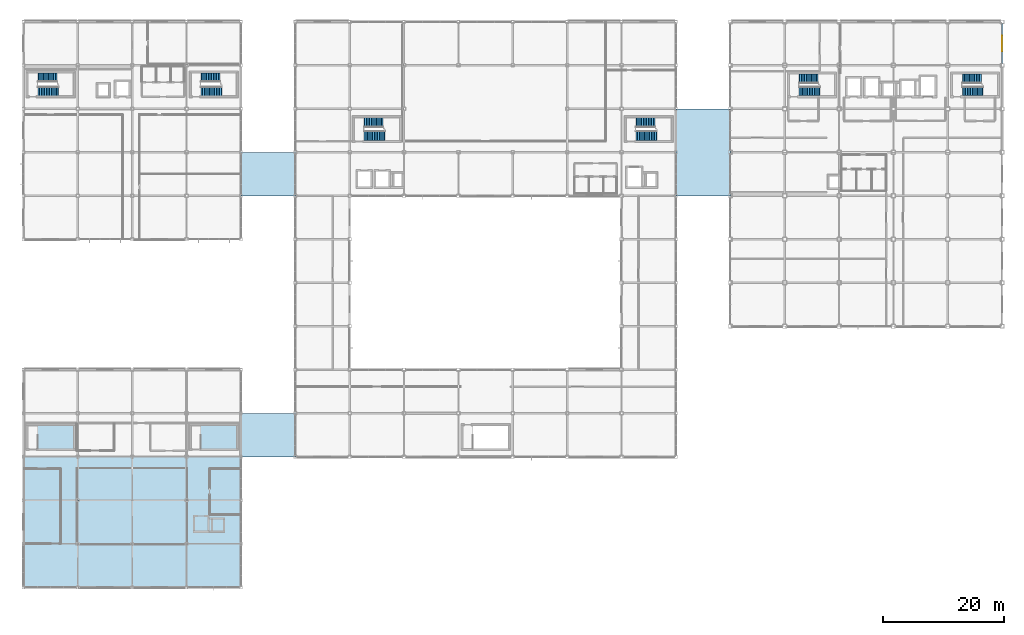
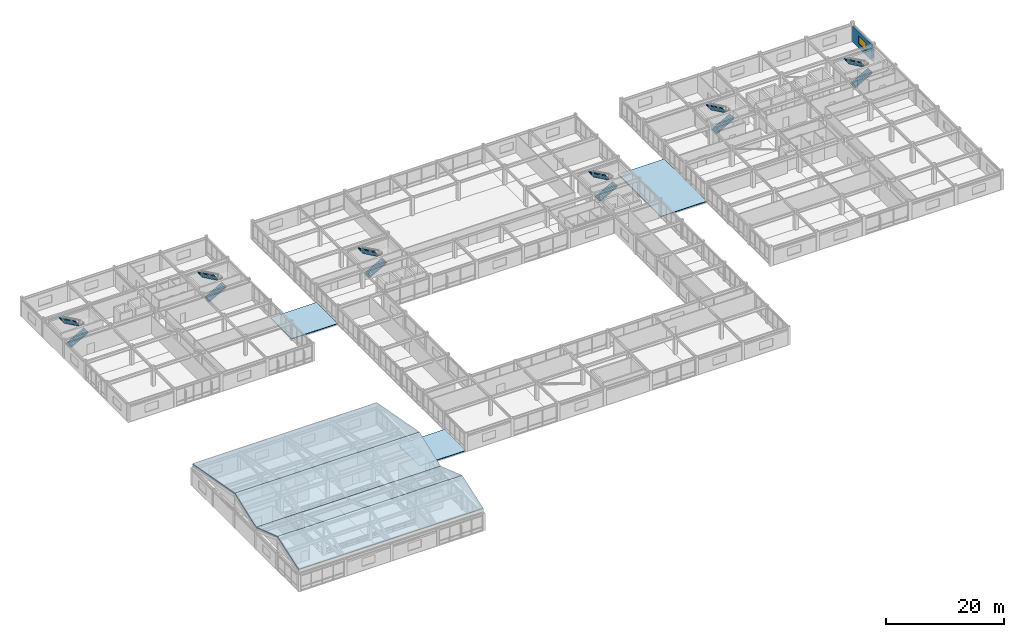
# One storey, part 100 of 113: 12 stair flights, 7 roofs, 1 wall, 1 window, 1 opening, 6 elements without a shape of their own.
"""IFC4 building model written with IfcOpenShell, lengths in metres."""

from ifc_helpers import new_model, si_unit, direction, frame, frame_2d, origin, place, context, subcontext, project, spatial, polyline, rectangle, outline, extrude, material, layer, layer_set, type_object, element, fill, aggregate, save


model = new_model("IFC4")

# Units and contexts
model_context = context("Model", 3, precision=1e-05, world=origin(), true_north=direction((0.0, 1.0)))
body_context = subcontext(model_context, "Body", "Model", "MODEL_VIEW")
ifc_project = project(units=[si_unit("LENGTHUNIT", "METRE"), si_unit("AREAUNIT", "SQUARE_METRE"), si_unit("VOLUMEUNIT", "CUBIC_METRE"), si_unit("PLANEANGLEUNIT", "RADIAN"), si_unit("MASSUNIT", "GRAM", prefix="KILO")], contexts=[model_context])

# Site, building, storey
site_placement = place(None, origin())
site = spatial("IfcSite", under=ifc_project, at=site_placement, CompositionType="ELEMENT")
building_placement = place(site_placement, origin())
building = spatial("IfcBuilding", under=site, at=building_placement, Name="Kazanami Central Library", CompositionType="ELEMENT")
storey_placement = place(building_placement, frame((0.0, 0.0, 8.800048828125)))
storey = spatial("IfcBuildingStorey", under=building, at=storey_placement, Name="L03", CompositionType="ELEMENT", Elevation=8.800048828125)

# Wall, opening, window
ifc_material_1 = material(Name="Concrete Fc36 (36 MPa)", Category="concrete")
ifc_layer_1 = layer(ifc_material_1, 0.219970703125, Name="Concrete Fc36 (36 MPa)")
ifc_material_2 = material(Name="Extruded Polystyrene XPS", Category="earth")
ifc_layer_2 = layer(ifc_material_2, 0.050048828125, Name="Extruded Polystyrene XPS")
ifc_material_3 = material(Name="Honed Inada Granite", Category="masonry")
ifc_layer_3 = layer(ifc_material_3, 0.030029296875, Name="Honed Inada Granite")
ifc_layer_set_1 = layer_set([ifc_layer_1, ifc_layer_2, ifc_layer_3], Name="Concrete Fc36 (36 MPa)")
wall_type = type_object("IfcWallType", Name="WAL-EW-300", PredefinedType="STANDARD", material=ifc_layer_set_1)
wall_placement = place(storey_placement, frame((162.0, 93.300048828125, 0.0), z_axis=(0.0, 0.0, 1.0), x_axis=(0.0, -1.0, 0.0)))
wall = element("IfcWall", 1, at=wall_placement, inside=storey, type_object=wall_type, Name="Exterior Facade Wall EW-300 L03 E-19-12", PredefinedType="STANDARD", context=body_context, shape_type="SweptSolid", body=[
    extrude(rectangle(XDim=6.60009765625, YDim=0.300048828125, at=frame_2d((3.300048828125, 0.0))), origin(), (0.0, 0.0, 1.0), 3.294921875),
])
opening_placement = place(wall_placement, frame((2.0, 0.0, 0.85009765625)))
opening = element("IfcOpeningElement", 2, at=opening_placement, cuts=wall, Name="Opening WN-13", PredefinedType="OPENING", context=body_context, shape_type="SweptSolid", body=[
    extrude(rectangle(XDim=2.60009765625, YDim=1.60009765625, at=frame_2d((1.300048828125, 0.800048828125))), frame((0.0, 0.162109375, 0.0), z_axis=(0.0, -1.0, 0.0), x_axis=(1.0, 0.0, 0.0)), (0.0, 0.0, 1.0), 0.323974609375),
])
ifc_material_4 = material(Name="Low-E Insulated Triple Glass", Category="glass")
window_type = type_object("IfcWindowType", Name="WIN-WN-13", PartitioningType="DOUBLE_PANEL_VERTICAL", PredefinedType="WINDOW", material=ifc_material_4)
window_placement = place(opening_placement, origin())
window = element("IfcWindow", 3, at=window_placement, inside=storey, type_object=window_type, Name="Facade Window WN-13 L03 E-19-12", OverallHeight=1.60009765625, OverallWidth=2.60009765625, PartitioningType="DOUBLE_PANEL_VERTICAL", PredefinedType="WINDOW", context=body_context, shape_type="SweptSolid", body=[
    extrude(rectangle(XDim=2.60009765625, YDim=1.60009765625, at=frame_2d((1.300048828125, 0.800048828125))), frame((0.0, 0.030029296875, 0.0), z_axis=(0.0, -1.0, 0.0), x_axis=(1.0, 0.0, 0.0)), (0.0, 0.0, 1.0), 0.06005859375),
])
fill(opening, window)

# Stair, stair flights
stair_type_1 = type_object("IfcStairType", Name="STR-P40", PredefinedType="HALF_TURN_STAIR", material=ifc_material_1)
stair_1_placement = place(storey_placement, origin())
stair_1 = element("IfcStair", 4, at=stair_1_placement, inside=storey, type_object=stair_type_1, Name="Enclosed Escape Stair ST-03 (L03)", PredefinedType="HALF_TURN_STAIR")
stair_flight_type_1 = type_object("IfcStairFlightType", Name="FLT-STR-P40", PredefinedType="STRAIGHT", material=ifc_material_1)
stair_flight_1_placement = place(storey_placement, frame((56.39404296875, 74.75, 0.0), z_axis=(0.0, 0.0, 1.0), x_axis=(1.0, 0.0, 0.0)))
stair_flight_1 = element("IfcStairFlight", 5, at=stair_flight_1_placement, type_object=stair_flight_type_1, Name="ST-03 flight 1", NumberOfRisers=13, NumberOfTreads=12, PredefinedType="STRAIGHT", RiserHeight=0.16, TreadLength=0.28, context=body_context, shape_type="SweptSolid", body=[
    extrude(outline(polyline([(0.0, 0.0), (0.0, 0.159912109375), (0.280029296875, 0.159912109375), (0.280029296875, 0.320068359375), (0.56005859375, 0.320068359375), (0.56005859375, 0.47998046875), (0.840087890625, 0.47998046875), (0.840087890625, 0.639892578125), (1.1201171875, 0.639892578125), (1.1201171875, 0.800048828125), (1.39990234375, 0.800048828125), (1.39990234375, 0.9599609375), (1.679931640625, 0.9599609375), (1.679931640625, 1.1201171875), (1.9599609375, 1.1201171875), (1.9599609375, 1.280029296875), (2.239990234375, 1.280029296875), (2.239990234375, 1.43994140625), (2.52001953125, 1.43994140625), (2.52001953125, 1.60009765625), (2.800048828125, 1.60009765625), (2.800048828125, 1.760009765625), (3.080078125, 1.760009765625), (3.080078125, 1.919921875), (3.360107421875, 1.919921875), (3.360107421875, 2.080078125), (3.440185546875, 2.080078125), (3.440185546875, 1.900146484375), (3.360107421875, 1.712646484375), (0.362548828125, 0.0), (0.0, 0.0)])), frame((0.0, 0.800048828125, 0.0), z_axis=(0.0, -1.0, 0.0), x_axis=(1.0, 0.0, 0.0)), (0.0, 0.0, 1.0), 1.60009765625),
])
stair_flight_2_placement = place(storey_placement, frame((59.553955078125, 76.949951171875, 2.079833984375), z_axis=(0.0, 0.0, 1.0), x_axis=(-1.0, 0.0, 0.0)))
stair_flight_2 = element("IfcStairFlight", 6, at=stair_flight_2_placement, type_object=stair_flight_type_1, Name="ST-03 flight 2", NumberOfRisers=12, NumberOfTreads=11, PredefinedType="STRAIGHT", RiserHeight=0.16, TreadLength=0.28, context=body_context, shape_type="SweptSolid", body=[
    extrude(outline(polyline([(0.0, 0.0), (0.0, 0.159912109375), (0.280029296875, 0.159912109375), (0.280029296875, 0.320068359375), (0.56005859375, 0.320068359375), (0.56005859375, 0.47998046875), (0.840087890625, 0.47998046875), (0.840087890625, 0.639892578125), (1.1201171875, 0.639892578125), (1.1201171875, 0.800048828125), (1.39990234375, 0.800048828125), (1.39990234375, 0.9599609375), (1.679931640625, 0.9599609375), (1.679931640625, 1.1201171875), (1.9599609375, 1.1201171875), (1.9599609375, 1.280029296875), (2.239990234375, 1.280029296875), (2.239990234375, 1.43994140625), (2.52001953125, 1.43994140625), (2.52001953125, 1.60009765625), (2.800048828125, 1.60009765625), (2.800048828125, 1.760009765625), (3.080078125, 1.760009765625), (3.080078125, 1.919921875), (3.16015625, 1.919921875), (3.16015625, 1.739990234375), (3.080078125, 1.552734375), (0.362548828125, 0.0), (0.0, 0.0)])), frame((0.0, 0.800048828125, 0.0), z_axis=(0.0, -1.0, 0.0), x_axis=(1.0, 0.0, 0.0)), (0.0, 0.0, 1.0), 1.60009765625),
])
aggregate(stair_1, [stair_flight_1, stair_flight_2])

stair_2_placement = place(storey_placement, origin())
stair_2 = element("IfcStair", 7, at=stair_2_placement, inside=storey, type_object=stair_type_1, Name="Enclosed Escape Stair ST-04 (L03)", PredefinedType="HALF_TURN_STAIR")
stair_flight_3_placement = place(storey_placement, frame((101.39404296875, 74.75, 0.0), z_axis=(0.0, 0.0, 1.0), x_axis=(1.0, 0.0, 0.0)))
stair_flight_3 = element("IfcStairFlight", 8, at=stair_flight_3_placement, type_object=stair_flight_type_1, Name="ST-04 flight 1", NumberOfRisers=13, NumberOfTreads=12, PredefinedType="STRAIGHT", RiserHeight=0.16, TreadLength=0.28, context=body_context, shape_type="SweptSolid", body=[
    extrude(outline(polyline([(0.0, 0.0), (0.0, 0.159912109375), (0.280029296875, 0.159912109375), (0.280029296875, 0.320068359375), (0.56005859375, 0.320068359375), (0.56005859375, 0.47998046875), (0.840087890625, 0.47998046875), (0.840087890625, 0.639892578125), (1.1201171875, 0.639892578125), (1.1201171875, 0.800048828125), (1.39990234375, 0.800048828125), (1.39990234375, 0.9599609375), (1.679931640625, 0.9599609375), (1.679931640625, 1.1201171875), (1.9599609375, 1.1201171875), (1.9599609375, 1.280029296875), (2.239990234375, 1.280029296875), (2.239990234375, 1.43994140625), (2.52001953125, 1.43994140625), (2.52001953125, 1.60009765625), (2.800048828125, 1.60009765625), (2.800048828125, 1.760009765625), (3.080078125, 1.760009765625), (3.080078125, 1.919921875), (3.360107421875, 1.919921875), (3.360107421875, 2.080078125), (3.440185546875, 2.080078125), (3.440185546875, 1.900146484375), (3.360107421875, 1.712646484375), (0.362548828125, 0.0), (0.0, 0.0)])), frame((0.0, 0.800048828125, 0.0), z_axis=(0.0, -1.0, 0.0), x_axis=(1.0, 0.0, 0.0)), (0.0, 0.0, 1.0), 1.60009765625),
])
stair_flight_4_placement = place(storey_placement, frame((104.553955078125, 76.949951171875, 2.079833984375), z_axis=(0.0, 0.0, 1.0), x_axis=(-1.0, 0.0, 0.0)))
stair_flight_4 = element("IfcStairFlight", 9, at=stair_flight_4_placement, type_object=stair_flight_type_1, Name="ST-04 flight 2", NumberOfRisers=12, NumberOfTreads=11, PredefinedType="STRAIGHT", RiserHeight=0.16, TreadLength=0.28, context=body_context, shape_type="SweptSolid", body=[
    extrude(outline(polyline([(0.0, 0.0), (0.0, 0.159912109375), (0.280029296875, 0.159912109375), (0.280029296875, 0.320068359375), (0.56005859375, 0.320068359375), (0.56005859375, 0.47998046875), (0.840087890625, 0.47998046875), (0.840087890625, 0.639892578125), (1.1201171875, 0.639892578125), (1.1201171875, 0.800048828125), (1.39990234375, 0.800048828125), (1.39990234375, 0.9599609375), (1.679931640625, 0.9599609375), (1.679931640625, 1.1201171875), (1.9599609375, 1.1201171875), (1.9599609375, 1.280029296875), (2.239990234375, 1.280029296875), (2.239990234375, 1.43994140625), (2.52001953125, 1.43994140625), (2.52001953125, 1.60009765625), (2.800048828125, 1.60009765625), (2.800048828125, 1.760009765625), (3.080078125, 1.760009765625), (3.080078125, 1.919921875), (3.16015625, 1.919921875), (3.16015625, 1.739990234375), (3.080078125, 1.552734375), (0.362548828125, 0.0), (0.0, 0.0)])), frame((0.0, 0.800048828125, 0.0), z_axis=(0.0, -1.0, 0.0), x_axis=(1.0, 0.0, 0.0)), (0.0, 0.0, 1.0), 1.60009765625),
])
aggregate(stair_2, [stair_flight_3, stair_flight_4])

stair_type_2 = type_object("IfcStairType", Name="STR-T40", PredefinedType="HALF_TURN_STAIR", material=ifc_material_1)
stair_3_placement = place(storey_placement, origin())
stair_3 = element("IfcStair", 10, at=stair_3_placement, inside=storey, type_object=stair_type_2, Name="Enclosed Escape Stair ST-01 (L03)", PredefinedType="HALF_TURN_STAIR")
stair_flight_type_2 = type_object("IfcStairFlightType", Name="FLT-STR-T40", PredefinedType="STRAIGHT", material=ifc_material_1)
stair_flight_5_placement = place(storey_placement, frame((128.39404296875, 82.125, 0.0), z_axis=(0.0, 0.0, 1.0), x_axis=(1.0, 0.0, 0.0)))
stair_flight_5 = element("IfcStairFlight", 11, at=stair_flight_5_placement, type_object=stair_flight_type_2, Name="ST-01 flight 1", NumberOfRisers=13, NumberOfTreads=12, PredefinedType="STRAIGHT", RiserHeight=0.16, TreadLength=0.28, context=body_context, shape_type="SweptSolid", body=[
    extrude(outline(polyline([(0.0, 0.0), (0.0, 0.159912109375), (0.280029296875, 0.159912109375), (0.280029296875, 0.320068359375), (0.56005859375, 0.320068359375), (0.56005859375, 0.47998046875), (0.840087890625, 0.47998046875), (0.840087890625, 0.639892578125), (1.1201171875, 0.639892578125), (1.1201171875, 0.800048828125), (1.39990234375, 0.800048828125), (1.39990234375, 0.9599609375), (1.679931640625, 0.9599609375), (1.679931640625, 1.1201171875), (1.9599609375, 1.1201171875), (1.9599609375, 1.280029296875), (2.239990234375, 1.280029296875), (2.239990234375, 1.43994140625), (2.52001953125, 1.43994140625), (2.52001953125, 1.60009765625), (2.800048828125, 1.60009765625), (2.800048828125, 1.760009765625), (3.080078125, 1.760009765625), (3.080078125, 1.919921875), (3.360107421875, 1.919921875), (3.360107421875, 2.080078125), (3.440185546875, 2.080078125), (3.440185546875, 1.900146484375), (3.360107421875, 1.712646484375), (0.362548828125, 0.0), (0.0, 0.0)])), frame((0.0, 0.75, 0.0), z_axis=(0.0, -1.0, 0.0), x_axis=(1.0, 0.0, 0.0)), (0.0, 0.0, 1.0), 1.5),
])
stair_flight_6_placement = place(storey_placement, frame((131.553955078125, 84.175048828125, 2.079833984375), z_axis=(0.0, 0.0, 1.0), x_axis=(-1.0, 0.0, 0.0)))
stair_flight_6 = element("IfcStairFlight", 12, at=stair_flight_6_placement, type_object=stair_flight_type_2, Name="ST-01 flight 2", NumberOfRisers=12, NumberOfTreads=11, PredefinedType="STRAIGHT", RiserHeight=0.16, TreadLength=0.28, context=body_context, shape_type="SweptSolid", body=[
    extrude(outline(polyline([(0.0, 0.0), (0.0, 0.159912109375), (0.280029296875, 0.159912109375), (0.280029296875, 0.320068359375), (0.56005859375, 0.320068359375), (0.56005859375, 0.47998046875), (0.840087890625, 0.47998046875), (0.840087890625, 0.639892578125), (1.1201171875, 0.639892578125), (1.1201171875, 0.800048828125), (1.39990234375, 0.800048828125), (1.39990234375, 0.9599609375), (1.679931640625, 0.9599609375), (1.679931640625, 1.1201171875), (1.9599609375, 1.1201171875), (1.9599609375, 1.280029296875), (2.239990234375, 1.280029296875), (2.239990234375, 1.43994140625), (2.52001953125, 1.43994140625), (2.52001953125, 1.60009765625), (2.800048828125, 1.60009765625), (2.800048828125, 1.760009765625), (3.080078125, 1.760009765625), (3.080078125, 1.919921875), (3.16015625, 1.919921875), (3.16015625, 1.739990234375), (3.080078125, 1.552734375), (0.362548828125, 0.0), (0.0, 0.0)])), frame((0.0, 0.75, 0.0), z_axis=(0.0, -1.0, 0.0), x_axis=(1.0, 0.0, 0.0)), (0.0, 0.0, 1.0), 1.5),
])
aggregate(stair_3, [stair_flight_5, stair_flight_6])

stair_4_placement = place(storey_placement, origin())
stair_4 = element("IfcStair", 13, at=stair_4_placement, inside=storey, type_object=stair_type_2, Name="Enclosed Escape Stair ST-02 (L03)", PredefinedType="HALF_TURN_STAIR")
stair_flight_7_placement = place(storey_placement, frame((155.39404296875, 82.125, 0.0), z_axis=(0.0, 0.0, 1.0), x_axis=(1.0, 0.0, 0.0)))
stair_flight_7 = element("IfcStairFlight", 14, at=stair_flight_7_placement, type_object=stair_flight_type_2, Name="ST-02 flight 1", NumberOfRisers=13, NumberOfTreads=12, PredefinedType="STRAIGHT", RiserHeight=0.16, TreadLength=0.28, context=body_context, shape_type="SweptSolid", body=[
    extrude(outline(polyline([(0.0, 0.0), (0.0, 0.159912109375), (0.280029296875, 0.159912109375), (0.280029296875, 0.320068359375), (0.56005859375, 0.320068359375), (0.56005859375, 0.47998046875), (0.840087890625, 0.47998046875), (0.840087890625, 0.639892578125), (1.1201171875, 0.639892578125), (1.1201171875, 0.800048828125), (1.39990234375, 0.800048828125), (1.39990234375, 0.9599609375), (1.679931640625, 0.9599609375), (1.679931640625, 1.1201171875), (1.9599609375, 1.1201171875), (1.9599609375, 1.280029296875), (2.239990234375, 1.280029296875), (2.239990234375, 1.43994140625), (2.52001953125, 1.43994140625), (2.52001953125, 1.60009765625), (2.800048828125, 1.60009765625), (2.800048828125, 1.760009765625), (3.080078125, 1.760009765625), (3.080078125, 1.919921875), (3.360107421875, 1.919921875), (3.360107421875, 2.080078125), (3.440185546875, 2.080078125), (3.440185546875, 1.900146484375), (3.360107421875, 1.712646484375), (0.362548828125, 0.0), (0.0, 0.0)])), frame((0.0, 0.75, 0.0), z_axis=(0.0, -1.0, 0.0), x_axis=(1.0, 0.0, 0.0)), (0.0, 0.0, 1.0), 1.5),
])
stair_flight_8_placement = place(storey_placement, frame((158.553955078125, 84.175048828125, 2.079833984375), z_axis=(0.0, 0.0, 1.0), x_axis=(-1.0, 0.0, 0.0)))
stair_flight_8 = element("IfcStairFlight", 15, at=stair_flight_8_placement, type_object=stair_flight_type_2, Name="ST-02 flight 2", NumberOfRisers=12, NumberOfTreads=11, PredefinedType="STRAIGHT", RiserHeight=0.16, TreadLength=0.28, context=body_context, shape_type="SweptSolid", body=[
    extrude(outline(polyline([(0.0, 0.0), (0.0, 0.159912109375), (0.280029296875, 0.159912109375), (0.280029296875, 0.320068359375), (0.56005859375, 0.320068359375), (0.56005859375, 0.47998046875), (0.840087890625, 0.47998046875), (0.840087890625, 0.639892578125), (1.1201171875, 0.639892578125), (1.1201171875, 0.800048828125), (1.39990234375, 0.800048828125), (1.39990234375, 0.9599609375), (1.679931640625, 0.9599609375), (1.679931640625, 1.1201171875), (1.9599609375, 1.1201171875), (1.9599609375, 1.280029296875), (2.239990234375, 1.280029296875), (2.239990234375, 1.43994140625), (2.52001953125, 1.43994140625), (2.52001953125, 1.60009765625), (2.800048828125, 1.60009765625), (2.800048828125, 1.760009765625), (3.080078125, 1.760009765625), (3.080078125, 1.919921875), (3.16015625, 1.919921875), (3.16015625, 1.739990234375), (3.080078125, 1.552734375), (0.362548828125, 0.0), (0.0, 0.0)])), frame((0.0, 0.75, 0.0), z_axis=(0.0, -1.0, 0.0), x_axis=(1.0, 0.0, 0.0)), (0.0, 0.0, 1.0), 1.5),
])
aggregate(stair_4, [stair_flight_7, stair_flight_8])

stair_5_placement = place(storey_placement, origin())
stair_5 = element("IfcStair", 16, at=stair_5_placement, inside=storey, type_object=stair_type_2, Name="Enclosed Escape Stair ST-05 (L03)", PredefinedType="HALF_TURN_STAIR")
stair_flight_9_placement = place(storey_placement, frame((2.39404296875, 82.10009765625, 0.0), z_axis=(0.0, 0.0, 1.0), x_axis=(1.0, 0.0, 0.0)))
stair_flight_9 = element("IfcStairFlight", 17, at=stair_flight_9_placement, type_object=stair_flight_type_2, Name="ST-05 flight 1", NumberOfRisers=13, NumberOfTreads=12, PredefinedType="STRAIGHT", RiserHeight=0.16, TreadLength=0.28, context=body_context, shape_type="SweptSolid", body=[
    extrude(outline(polyline([(0.0, 0.0), (0.0, 0.159912109375), (0.280029296875, 0.159912109375), (0.280029296875, 0.320068359375), (0.56005859375, 0.320068359375), (0.56005859375, 0.47998046875), (0.840087890625, 0.47998046875), (0.840087890625, 0.639892578125), (1.1201171875, 0.639892578125), (1.1201171875, 0.800048828125), (1.39990234375, 0.800048828125), (1.39990234375, 0.9599609375), (1.679931640625, 0.9599609375), (1.679931640625, 1.1201171875), (1.9599609375, 1.1201171875), (1.9599609375, 1.280029296875), (2.239990234375, 1.280029296875), (2.239990234375, 1.43994140625), (2.52001953125, 1.43994140625), (2.52001953125, 1.60009765625), (2.800048828125, 1.60009765625), (2.800048828125, 1.760009765625), (3.080078125, 1.760009765625), (3.080078125, 1.919921875), (3.360107421875, 1.919921875), (3.360107421875, 2.080078125), (3.440185546875, 2.080078125), (3.440185546875, 1.900146484375), (3.360107421875, 1.712646484375), (0.362548828125, 0.0), (0.0, 0.0)])), frame((0.0, 0.75, 0.0), z_axis=(0.0, -1.0, 0.0), x_axis=(1.0, 0.0, 0.0)), (0.0, 0.0, 1.0), 1.5),
])
stair_flight_10_placement = place(storey_placement, frame((5.553955078125, 84.39990234375, 2.079833984375), z_axis=(0.0, 0.0, 1.0), x_axis=(-1.0, 0.0, 0.0)))
stair_flight_10 = element("IfcStairFlight", 18, at=stair_flight_10_placement, type_object=stair_flight_type_2, Name="ST-05 flight 2", NumberOfRisers=12, NumberOfTreads=11, PredefinedType="STRAIGHT", RiserHeight=0.16, TreadLength=0.28, context=body_context, shape_type="SweptSolid", body=[
    extrude(outline(polyline([(0.0, 0.0), (0.0, 0.159912109375), (0.280029296875, 0.159912109375), (0.280029296875, 0.320068359375), (0.56005859375, 0.320068359375), (0.56005859375, 0.47998046875), (0.840087890625, 0.47998046875), (0.840087890625, 0.639892578125), (1.1201171875, 0.639892578125), (1.1201171875, 0.800048828125), (1.39990234375, 0.800048828125), (1.39990234375, 0.9599609375), (1.679931640625, 0.9599609375), (1.679931640625, 1.1201171875), (1.9599609375, 1.1201171875), (1.9599609375, 1.280029296875), (2.239990234375, 1.280029296875), (2.239990234375, 1.43994140625), (2.52001953125, 1.43994140625), (2.52001953125, 1.60009765625), (2.800048828125, 1.60009765625), (2.800048828125, 1.760009765625), (3.080078125, 1.760009765625), (3.080078125, 1.919921875), (3.16015625, 1.919921875), (3.16015625, 1.739990234375), (3.080078125, 1.552734375), (0.362548828125, 0.0), (0.0, 0.0)])), frame((0.0, 0.75, 0.0), z_axis=(0.0, -1.0, 0.0), x_axis=(1.0, 0.0, 0.0)), (0.0, 0.0, 1.0), 1.5),
])
aggregate(stair_5, [stair_flight_9, stair_flight_10])

stair_6_placement = place(storey_placement, origin())
stair_6 = element("IfcStair", 19, at=stair_6_placement, inside=storey, type_object=stair_type_2, Name="Enclosed Escape Stair ST-06 (L03)", PredefinedType="HALF_TURN_STAIR")
stair_flight_11_placement = place(storey_placement, frame((29.39404296875, 82.10009765625, 0.0), z_axis=(0.0, 0.0, 1.0), x_axis=(1.0, 0.0, 0.0)))
stair_flight_11 = element("IfcStairFlight", 20, at=stair_flight_11_placement, type_object=stair_flight_type_2, Name="ST-06 flight 1", NumberOfRisers=13, NumberOfTreads=12, PredefinedType="STRAIGHT", RiserHeight=0.16, TreadLength=0.28, context=body_context, shape_type="SweptSolid", body=[
    extrude(outline(polyline([(0.0, 0.0), (0.0, 0.159912109375), (0.280029296875, 0.159912109375), (0.280029296875, 0.320068359375), (0.56005859375, 0.320068359375), (0.56005859375, 0.47998046875), (0.840087890625, 0.47998046875), (0.840087890625, 0.639892578125), (1.1201171875, 0.639892578125), (1.1201171875, 0.800048828125), (1.39990234375, 0.800048828125), (1.39990234375, 0.9599609375), (1.679931640625, 0.9599609375), (1.679931640625, 1.1201171875), (1.9599609375, 1.1201171875), (1.9599609375, 1.280029296875), (2.239990234375, 1.280029296875), (2.239990234375, 1.43994140625), (2.52001953125, 1.43994140625), (2.52001953125, 1.60009765625), (2.800048828125, 1.60009765625), (2.800048828125, 1.760009765625), (3.080078125, 1.760009765625), (3.080078125, 1.919921875), (3.360107421875, 1.919921875), (3.360107421875, 2.080078125), (3.440185546875, 2.080078125), (3.440185546875, 1.900146484375), (3.360107421875, 1.712646484375), (0.362548828125, 0.0), (0.0, 0.0)])), frame((0.0, 0.75, 0.0), z_axis=(0.0, -1.0, 0.0), x_axis=(1.0, 0.0, 0.0)), (0.0, 0.0, 1.0), 1.5),
])
stair_flight_12_placement = place(storey_placement, frame((32.553955078125, 84.39990234375, 2.079833984375), z_axis=(0.0, 0.0, 1.0), x_axis=(-1.0, 0.0, 0.0)))
stair_flight_12 = element("IfcStairFlight", 21, at=stair_flight_12_placement, type_object=stair_flight_type_2, Name="ST-06 flight 2", NumberOfRisers=12, NumberOfTreads=11, PredefinedType="STRAIGHT", RiserHeight=0.16, TreadLength=0.28, context=body_context, shape_type="SweptSolid", body=[
    extrude(outline(polyline([(0.0, 0.0), (0.0, 0.159912109375), (0.280029296875, 0.159912109375), (0.280029296875, 0.320068359375), (0.56005859375, 0.320068359375), (0.56005859375, 0.47998046875), (0.840087890625, 0.47998046875), (0.840087890625, 0.639892578125), (1.1201171875, 0.639892578125), (1.1201171875, 0.800048828125), (1.39990234375, 0.800048828125), (1.39990234375, 0.9599609375), (1.679931640625, 0.9599609375), (1.679931640625, 1.1201171875), (1.9599609375, 1.1201171875), (1.9599609375, 1.280029296875), (2.239990234375, 1.280029296875), (2.239990234375, 1.43994140625), (2.52001953125, 1.43994140625), (2.52001953125, 1.60009765625), (2.800048828125, 1.60009765625), (2.800048828125, 1.760009765625), (3.080078125, 1.760009765625), (3.080078125, 1.919921875), (3.16015625, 1.919921875), (3.16015625, 1.739990234375), (3.080078125, 1.552734375), (0.362548828125, 0.0), (0.0, 0.0)])), frame((0.0, 0.75, 0.0), z_axis=(0.0, -1.0, 0.0), x_axis=(1.0, 0.0, 0.0)), (0.0, 0.0, 1.0), 1.5),
])
aggregate(stair_6, [stair_flight_11, stair_flight_12])

# Roofs
ifc_material_5 = material(Name="Polymer-Modified Bitumen", Category="earth")
ifc_layer_4 = layer(ifc_material_5, 0.139892578125, Name="Polymer-Modified Bitumen")
ifc_layer_set_2 = layer_set([ifc_layer_4], Name="Polymer-Modified Bitumen")
roof_type_1 = type_object("IfcRoofType", Name="ROOF-RF-01", PredefinedType="FLAT_ROOF", material=ifc_layer_set_2)
roof_1_placement = place(storey_placement, origin())
element("IfcRoof", 22, at=roof_1_placement, inside=storey, type_object=roof_type_1, Name="Covered Seismic-Joint Link Bridge Roof BRG-WS", PredefinedType="FLAT_ROOF", context=body_context, shape_type="SweptSolid", body=[
    extrude(outline(polyline([(36.0, 21.60009765625), (45.0, 21.60009765625), (45.0, 28.800048828125), (36.0, 28.800048828125), (36.0, 21.60009765625)])), origin(), (0.0, 0.0, 1.0), 0.139892578125),
])
roof_2_placement = place(storey_placement, origin())
element("IfcRoof", 23, at=roof_2_placement, inside=storey, type_object=roof_type_1, Name="Covered Seismic-Joint Link Bridge Roof BRG-WN", PredefinedType="FLAT_ROOF", context=body_context, shape_type="SweptSolid", body=[
    extrude(outline(polyline([(36.0, 64.800048828125), (45.0, 64.800048828125), (45.0, 72.0), (36.0, 72.0), (36.0, 64.800048828125)])), origin(), (0.0, 0.0, 1.0), 0.139892578125),
])
roof_3_placement = place(storey_placement, origin())
element("IfcRoof", 24, at=roof_3_placement, inside=storey, type_object=roof_type_1, Name="Covered Seismic-Joint Link Bridge Roof BRG-E", PredefinedType="FLAT_ROOF", context=body_context, shape_type="SweptSolid", body=[
    extrude(outline(polyline([(108.0, 64.800048828125), (117.0, 64.800048828125), (117.0, 79.199951171875), (108.0, 79.199951171875), (108.0, 64.800048828125)])), origin(), (0.0, 0.0, 1.0), 0.139892578125),
])
ifc_layer_5 = layer(ifc_material_1, 0.219970703125, Name="Concrete Fc36 (36 MPa)")
ifc_layer_set_3 = layer_set([ifc_layer_5], Name="Concrete Fc36 (36 MPa)")
roof_type_2 = type_object("IfcRoofType", Name="ROOF-RF-FC1", PredefinedType="GABLE_ROOF", material=ifc_layer_set_3)
for number, where, z_axis, x_axis, name in (
    (25, (0.0, 0.0, 4.452392578125), (0.0, -0.322134648064, 0.946693862089), (1.0, 0.0, 0.0), "Folded Concrete Plate Shell Roof South FOLD-L03-V3-S"),
    (26, (36.0, 14.39990234375, 4.452392578125), (0.0, 0.322134648064, 0.946693862089), (-1.0, 0.0, 0.0), "Folded Concrete Plate Shell Roof North FOLD-L03-V3-S"),
):
    element("IfcRoof", number, at=place(storey_placement, frame(where, z_axis=z_axis, x_axis=x_axis)), inside=storey, type_object=roof_type_2, Name=name, PredefinedType="GABLE_ROOF", context=body_context, shape_type="SweptSolid", body=[
        extrude(outline(polyline([(0.0, 0.0), (36.0, 0.0), (36.0, 7.605363740279349), (0.0, 7.605363740279349), (0.0, 0.0)])), origin(), (0.0, 0.0, -1.0), 0.219970703125),
    ])
roof_4_placement = place(storey_placement, frame((0.0, 14.39990234375, 4.454345703125), z_axis=(0.0, -0.345411894512, 0.938451183136), x_axis=(1.0, 0.0, 0.0)))
element("IfcRoof", 27, at=roof_4_placement, inside=storey, type_object=roof_type_2, Name="Folded Concrete Plate Shell Roof South FOLD-L03-V3-N", PredefinedType="GABLE_ROOF", context=body_context, shape_type="SweptSolid", body=[
    extrude(outline(polyline([(0.0, 0.0), (36.0, 0.0), (36.0, 7.672423927729238), (0.0, 7.672423927729238), (0.0, 0.0)])), origin(), (0.0, 0.0, -1.0), 0.219970703125),
])
roof_5_placement = place(storey_placement, frame((36.0, 36.0, 4.454345703125), z_axis=(0.0, 0.180999458942, 0.983483195516), x_axis=(-1.0, 0.0, 0.0)))
element("IfcRoof", 28, at=roof_5_placement, inside=storey, type_object=roof_type_2, Name="Folded Concrete Plate Shell Roof North FOLD-L03-V3-N", PredefinedType="GABLE_ROOF", context=body_context, shape_type="SweptSolid", body=[
    extrude(outline(polyline([(0.0, 0.0), (36.0, 0.0), (36.0, 14.641737051941), (0.0, 14.641737051941), (0.0, 0.0)])), origin(), (0.0, 0.0, -1.0), 0.219970703125),
])

save(model, "model.ifc")
